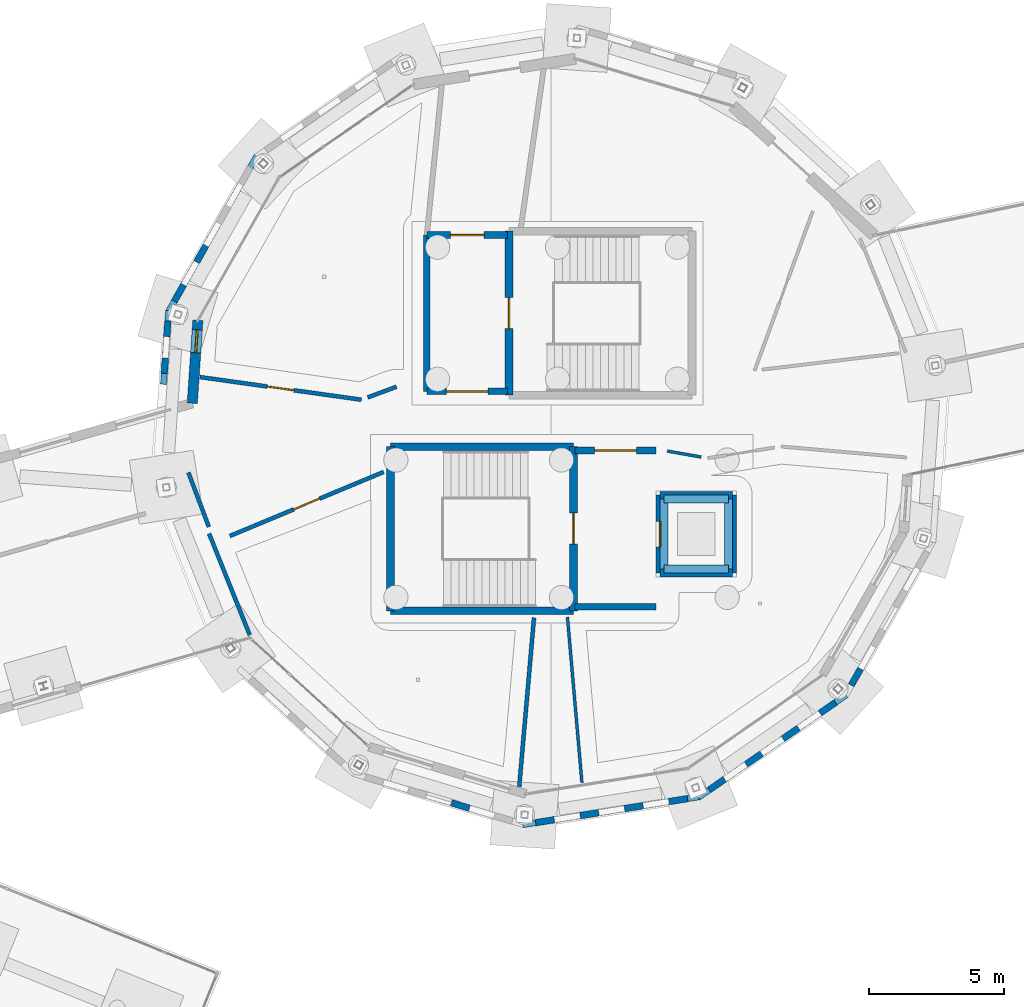
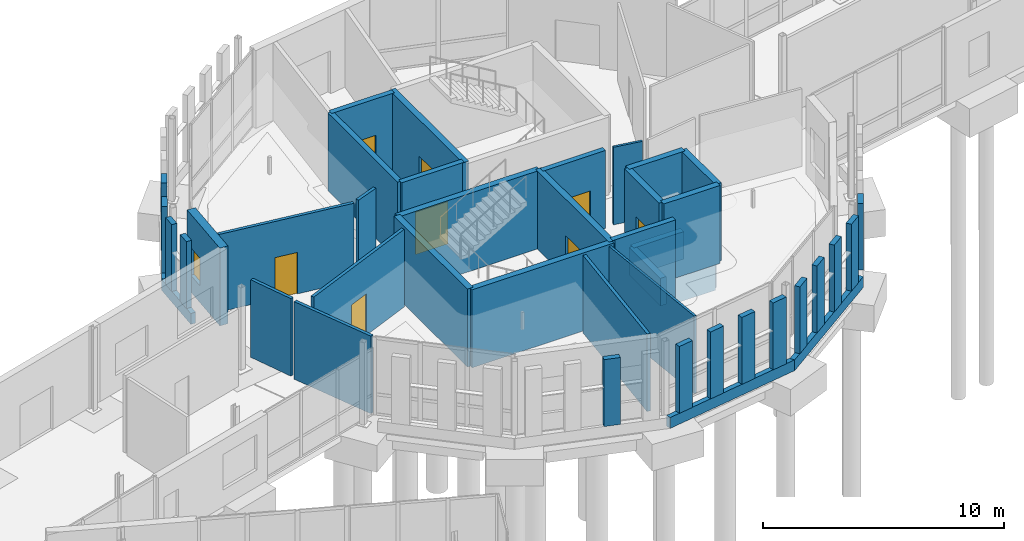
# One storey, part 86 of 113: 45 walls, 8 doors, 1 window, 9 openings.
"""IFC4 building model written with IfcOpenShell, lengths in metres."""

import ifcopenshell
import ifcopenshell.guid

model = None  # the IFC model being written
_history = None  # IfcOwnerHistory: only IFC2X3 demands one
_inside = {}  # id of a spatial element -> (the spatial element, [elements in it])
_under = {}  # id of a project, library or spatial element -> (it, [spatial elements below it])
_declared = {}  # id of a project -> (the project, [libraries it declares])
_typed = {}  # id of a type object -> (the type object, [elements of that type])
_made_of = {}  # id of a material, layer set ... -> (it, [elements and type objects made of it])


def new_model(schema):
    """Start an empty IFC model of exactly this schema.

    Asked for "IFC4X3", IfcOpenShell would pick the latest addendum, in which some entities
    have other attributes; the version numbers below select the first issue.
    IFC2X3 requires an IfcOwnerHistory on every rooted entity: one is made here for all.
    """
    global model, _history
    if schema == "IFC4X3":
        model = ifcopenshell.file(schema_version=(4, 3, 0, 0))
    else:
        model = ifcopenshell.file(schema=schema)
    _inside.clear()
    _under.clear()
    _declared.clear()
    _typed.clear()
    _made_of.clear()
    _history = None
    if model.schema == "IFC2X3":
        org = make("IfcOrganization", Name="unknown")
        user = make(
            "IfcPersonAndOrganization",
            ThePerson=make("IfcPerson", FamilyName="unknown"),
            TheOrganization=org,
        )
        app = make(
            "IfcApplication",
            ApplicationDeveloper=org,
            Version="unknown",
            ApplicationFullName="unknown",
            ApplicationIdentifier="unknown",
        )
        _history = make(
            "IfcOwnerHistory",
            OwningUser=user,
            OwningApplication=app,
            ChangeAction="ADDED",
            CreationDate=0,
        )
    return model


def make(cls, **values):
    """One entity of the class cls with the attributes given. An attribute that is None is left unset."""
    return model.create_entity(
        cls, **{name: value for name, value in values.items() if value is not None}
    )


def rooted(cls, **values):
    """An entity with a GlobalId (a new one), such as an element, a storey or a relation."""
    return make(cls, GlobalId=ifcopenshell.guid.new(), OwnerHistory=_history, **values)


def si_unit(unit_type, name, prefix=None):
    """IfcSIUnit, for example si_unit("LENGTHUNIT", "METRE", prefix="MILLI")."""
    return make("IfcSIUnit", UnitType=unit_type, Prefix=prefix, Name=name)


def assignment(units):
    """IfcUnitAssignment: the units of a project."""
    return None if units is None else make("IfcUnitAssignment", Units=units)


def point(xyz):
    """IfcCartesianPoint."""
    return None if xyz is None else make("IfcCartesianPoint", Coordinates=xyz)


def direction(xyz):
    """IfcDirection."""
    return None if xyz is None else make("IfcDirection", DirectionRatios=xyz)


def frame(location, z_axis=None, x_axis=None):
    """IfcAxis2Placement3D, a coordinate frame: its origin and axes. An axis left out is left unset."""
    return make(
        "IfcAxis2Placement3D",
        Location=point(location),
        Axis=direction(z_axis),
        RefDirection=direction(x_axis),
    )


def frame_2d(location, x_axis=None):
    """IfcAxis2Placement2D, a coordinate frame in the plane: its origin and x axis."""
    return make(
        "IfcAxis2Placement2D", Location=point(location), RefDirection=direction(x_axis)
    )


def origin():
    """The frame at (0, 0, 0) with its axes left unset."""
    return frame((0.0, 0.0, 0.0))


def place(relative_to, where):
    """IfcLocalPlacement: puts the frame where relative to a parent placement (None: the world)."""
    return make(
        "IfcLocalPlacement", PlacementRelTo=relative_to, RelativePlacement=where
    )


def context(
    kind, dimensions, precision=None, world=None, true_north=None, identifier=None
):
    """IfcGeometricRepresentationContext, for example the 3D "Model" context."""
    return make(
        "IfcGeometricRepresentationContext",
        ContextIdentifier=identifier,
        ContextType=kind,
        CoordinateSpaceDimension=dimensions,
        Precision=precision,
        WorldCoordinateSystem=world,
        TrueNorth=true_north,
    )


def subcontext(parent, identifier, kind, view, scale=None):
    """IfcGeometricRepresentationSubContext, for example "Body" below "Model"."""
    return make(
        "IfcGeometricRepresentationSubContext",
        ContextIdentifier=identifier,
        ContextType=kind,
        ParentContext=parent,
        TargetScale=scale,
        TargetView=view,
    )


def project(units=None, contexts=None):
    """IfcProject with its units and contexts."""
    return rooted(
        "IfcProject",
        Name="project",
        RepresentationContexts=contexts,
        UnitsInContext=assignment(units),
    )


def spatial(cls, under=None, at=None, **own):
    """A site, building, storey or space (cls), placed at a placement, below another one or the project."""
    s = rooted(cls, ObjectPlacement=at, **own)
    if under is not None:
        _under.setdefault(under.id(), (under, []))[1].append(s)
    return s


def profile(cls, at=None, kind="AREA", **sizes):
    """A parametric profile (cls). Its sizes go by their IFC names, for example OverallWidth=200.0."""
    return make(cls, ProfileType=kind, Position=at, **sizes)


def rectangle(**sizes):
    """IfcRectangleProfileDef."""
    return profile("IfcRectangleProfileDef", **sizes)


def extrude(swept, where, along, depth):
    """IfcExtrudedAreaSolid: the profile swept, set in the frame where, extruded along a direction by depth."""
    return make(
        "IfcExtrudedAreaSolid",
        SweptArea=swept,
        Position=where,
        ExtrudedDirection=direction(along),
        Depth=depth,
    )


def shape(context_of_items, identifier, shape_type, items):
    """IfcShapeRepresentation: the items that make up one representation, for example the "Body"."""
    return make(
        "IfcShapeRepresentation",
        ContextOfItems=context_of_items,
        RepresentationIdentifier=identifier,
        RepresentationType=shape_type,
        Items=items,
    )


def material(Name=None, Category=None):
    """IfcMaterial."""
    return make("IfcMaterial", Name=Name, Category=Category)


def layer(
    of_material, thickness, ventilated=None, Name=None, Category=None, Priority=None
):
    """IfcMaterialLayer: one layer of a wall or slab, of a material (None: an air gap)."""
    return make(
        "IfcMaterialLayer",
        Material=of_material,
        LayerThickness=thickness,
        IsVentilated=ventilated,
        Name=Name,
        Category=Category,
        Priority=Priority,
    )


def layer_set(layers, Name=None):
    """IfcMaterialLayerSet."""
    return make("IfcMaterialLayerSet", MaterialLayers=layers, LayerSetName=Name)


def made_of(thing, what):
    """Note that an element or type object is made of a material, layer set ...; save() writes the relation."""
    if what is not None:
        _made_of.setdefault(what.id(), (what, []))[1].append(thing)
    return thing


def type_object(cls, material=None, **own):
    """A type object (cls), such as IfcWallType, which elements share."""
    return made_of(rooted(cls, **own), material)


def element(
    cls,
    number,
    at=None,
    inside=None,
    cuts=None,
    type_object=None,
    material=None,
    context=None,
    identifier="Body",
    shape_type=None,
    held_by="IfcProductDefinitionShape",
    body=None,
    shapes=None,
    **own,
):
    """One element of the class cls, such as IfcWall. Its Tag is "e" and its number.

    at: its placement. inside: the storey or other place that contains it. cuts: it is an
    opening in that element (IfcRelVoidsElement). A single representation is given by context,
    identifier, shape_type and body (its items); several are given by shapes. held_by: the class
    of the entity that holds the representations. save() writes the other relations.
    """
    e = rooted(cls, Tag="e%d" % number, ObjectPlacement=at, **own)
    if body is not None:
        shapes = [shape(context, identifier, shape_type, body)]
    if shapes is not None:
        e.Representation = make(held_by, Representations=shapes)
    if inside is not None:
        _inside.setdefault(inside.id(), (inside, []))[1].append(e)
    if cuts is not None:
        rooted(
            "IfcRelVoidsElement", RelatingBuildingElement=cuts, RelatedOpeningElement=e
        )
    if type_object is not None:
        _typed.setdefault(type_object.id(), (type_object, []))[1].append(e)
    return made_of(e, material)


def fill(opening, filler):
    """IfcRelFillsElement: the door or window that sits in an opening."""
    return rooted(
        "IfcRelFillsElement",
        RelatingOpeningElement=opening,
        RelatedBuildingElement=filler,
    )


def aggregate(whole, parts):
    """IfcRelAggregates: a whole, such as a stair, and the parts it consists of."""
    return rooted("IfcRelAggregates", RelatingObject=whole, RelatedObjects=parts)


def save(model, path):
    """Write the relations noted so far, then the file.

    IfcRelAggregates (storeys below a building ...), IfcRelContainedInSpatialStructure (elements
    in a storey), IfcRelDefinesByType, IfcRelAssociatesMaterial and IfcRelDeclares: one each for
    every whole, place, type object, material and project.
    """
    for whole, parts in _under.values():
        aggregate(whole, parts)
    for where, things in _inside.values():
        rooted(
            "IfcRelContainedInSpatialStructure",
            RelatedElements=things,
            RelatingStructure=where,
        )
    for kind, things in _typed.values():
        rooted("IfcRelDefinesByType", RelatedObjects=things, RelatingType=kind)
    for what, things in _made_of.values():
        rooted("IfcRelAssociatesMaterial", RelatedObjects=things, RelatingMaterial=what)
    for by, libraries in _declared.values():
        rooted("IfcRelDeclares", RelatingContext=by, RelatedDefinitions=libraries)
    model.write(path)


model = new_model("IFC4")

# Units and contexts
model_context = context("Model", 3, precision=1e-05, world=origin(), true_north=direction((0.0, 1.0)))
body_context = subcontext(model_context, "Body", "Model", "MODEL_VIEW")
ifc_project = project(units=[si_unit("LENGTHUNIT", "METRE"), si_unit("AREAUNIT", "SQUARE_METRE"), si_unit("VOLUMEUNIT", "CUBIC_METRE"), si_unit("PLANEANGLEUNIT", "RADIAN"), si_unit("MASSUNIT", "GRAM", prefix="KILO")], contexts=[model_context])

# Site, building, storey
site_placement = place(None, origin())
site = spatial("IfcSite", under=ifc_project, at=site_placement, CompositionType="ELEMENT")
building_placement = place(site_placement, origin())
building = spatial("IfcBuilding", under=site, at=building_placement, Name="Wrenclough Park School", CompositionType="ELEMENT")
storey_placement = place(building_placement, origin())
storey = spatial("IfcBuildingStorey", under=building, at=storey_placement, Name="L00", CompositionType="ELEMENT", Elevation=0.0)

# Walls
ifc_material_1 = material(Name="Perforated open-bond Staffordshire and Manchester brick screen pier", Category="masonry")
ifc_layer_1 = layer(ifc_material_1, 0.2451171875)
ifc_layer_set_1 = layer_set([ifc_layer_1], Name="Perforated open-bond Staffordshire and Manchester brick screen pier")
wall_type_1 = type_object("IfcWallType", Name="ENV-BS-PR245", PredefinedType="ELEMENTEDWALL", material=ifc_layer_set_1)
wall_1_placement = place(storey_placement, frame((70.19873046875, 115.207275390625, 0.550048828125), z_axis=(0.0, 0.0, 1.0), x_axis=(-0.493548557981, -0.869718242257, 0.0)))
element("IfcWall", 1, at=wall_1_placement, inside=storey, type_object=wall_type_1, Name="D4 L00 perforated brick screen pier 0115", PredefinedType="ELEMENTEDWALL", context=body_context, shape_type="SweptSolid", body=[
    extrude(rectangle(XDim=0.700927734375, YDim=0.2451171875, at=frame_2d((0.3505859375, 0.0))), origin(), (0.0, 0.0, 1.0), 3.389892578125),
])
wall_2_placement = place(storey_placement, frame((69.375, 113.755859375, 0.550048828125), z_axis=(0.0, 0.0, 1.0), x_axis=(-0.49339908657, -0.869803047461, 0.0)))
element("IfcWall", 2, at=wall_2_placement, inside=storey, type_object=wall_type_1, Name="D4 L00 perforated brick screen pier 0116", PredefinedType="ELEMENTEDWALL", context=body_context, shape_type="SweptSolid", body=[
    extrude(rectangle(XDim=0.701171875, YDim=0.2451171875, at=frame_2d((0.3505859375, 0.0))), origin(), (0.0, 0.0, 1.0), 3.389892578125),
])
wall_3_placement = place(storey_placement, frame((68.78662109375, 112.40478515625, 0.550048828125), z_axis=(0.0, 0.0, 1.0), x_axis=(-0.067277250526, -0.997734319126, 0.0)))
element("IfcWall", 3, at=wall_3_placement, inside=storey, type_object=wall_type_1, Name="D4 L00 perforated brick screen pier 0117", PredefinedType="ELEMENTEDWALL", context=body_context, shape_type="SweptSolid", body=[
    extrude(rectangle(XDim=0.576904296875, YDim=0.2451171875, at=frame_2d((0.28857421875, 0.0))), origin(), (0.0, 0.0, 1.0), 3.389892578125),
])
wall_4_placement = place(storey_placement, frame((68.694091796875, 111.034912109375, 0.550048828125), z_axis=(0.0, 0.0, 1.0), x_axis=(-0.066827806151, -0.997764523485, 0.0)))
element("IfcWall", 4, at=wall_4_placement, inside=storey, type_object=wall_type_1, Name="D4 L00 perforated brick screen pier 0118", PredefinedType="ELEMENTEDWALL", context=body_context, shape_type="SweptSolid", body=[
    extrude(rectangle(XDim=0.5771484375, YDim=0.2451171875, at=frame_2d((0.28857421875, 0.0))), origin(), (0.0, 0.0, 1.0), 3.389892578125),
])
for number, where, z_axis, x_axis, name in (
    (5, (79.3095703125, 94.527099609375, 0.550048828125), (0.0, 0.0, 1.0), (0.957826285221, -0.287347885566, 0.0), "D4 L00 perforated brick screen pier 0124"),
    (6, (82.44091796875, 93.78759765625, 0.550048828125), (0.0, 0.0, 1.0), (0.987697931756, 0.156373896812, 0.0), "D4 L00 perforated brick screen pier 0126"),
    (7, (84.089111328125, 94.048583984375, 0.550048828125), (0.0, 0.0, 1.0), (0.987697931756, 0.156373896812, 0.0), "D4 L00 perforated brick screen pier 0127"),
    (8, (85.737548828125, 94.309814453125, 0.550048828125), (0.0, 0.0, 1.0), (0.987751666832, 0.156034113801, 0.0), "D4 L00 perforated brick screen pier 0128"),
    (9, (87.3857421875, 94.57080078125, 0.550048828125), (0.0, 0.0, 1.0), (0.987697931756, 0.156373896812, 0.0), "D4 L00 perforated brick screen pier 0129"),
    (10, (88.879638671875, 95.001953125, 0.550048828125), (0.0, 0.0, 1.0), (0.822004061083, 0.569481627064, 0.0), "D4 L00 perforated brick screen pier 0130"),
    (11, (90.251708984375, 95.952392578125, 0.550048828125), (0.0, 0.0, 1.0), (0.822004061083, 0.569481627064, 0.0), "D4 L00 perforated brick screen pier 0131"),
):
    element("IfcWall", number, at=place(storey_placement, frame(where, z_axis=z_axis, x_axis=x_axis)), inside=storey, type_object=wall_type_1, Name=name, PredefinedType="ELEMENTEDWALL", context=body_context, shape_type="SweptSolid", body=[
        extrude(rectangle(XDim=0.700927734375, YDim=0.2451171875, at=frame_2d((0.3505859375, 0.0))), origin(), (0.0, 0.0, 1.0), 3.389892578125),
    ])
wall_5_placement = place(storey_placement, frame((91.623291015625, 96.902587890625, 0.550048828125), z_axis=(0.0, 0.0, 1.0), x_axis=(0.821953993254, 0.569553889438, 0.0)))
element("IfcWall", 12, at=wall_5_placement, inside=storey, type_object=wall_type_1, Name="D4 L00 perforated brick screen pier 0132", PredefinedType="ELEMENTEDWALL", context=body_context, shape_type="SweptSolid", body=[
    extrude(rectangle(XDim=0.701171875, YDim=0.2451171875, at=frame_2d((0.3505859375, 0.0))), origin(), (0.0, 0.0, 1.0), 3.389892578125),
])
for number, where, z_axis, x_axis, name in (
    (13, (92.995361328125, 97.85302734375, 0.550048828125), (0.0, 0.0, 1.0), (0.822004061083, 0.569481627064, 0.0), "D4 L00 perforated brick screen pier 0133"),
    (14, (94.154052734375, 98.8896484375, 0.550048828125), (0.0, 0.0, 1.0), (0.493548557981, 0.869718242257, 0.0), "D4 L00 perforated brick screen pier 0134"),
):
    element("IfcWall", number, at=place(storey_placement, frame(where, z_axis=z_axis, x_axis=x_axis)), inside=storey, type_object=wall_type_1, Name=name, PredefinedType="ELEMENTEDWALL", context=body_context, shape_type="SweptSolid", body=[
        extrude(rectangle(XDim=0.700927734375, YDim=0.2451171875, at=frame_2d((0.3505859375, 0.0))), origin(), (0.0, 0.0, 1.0), 3.389892578125),
    ])
ifc_material_2 = material(Name="Open-bond Manchester multi-stock brick spandrel screen", Category="masonry")
ifc_layer_2 = layer(ifc_material_2, 0.22509765625)
ifc_layer_set_2 = layer_set([ifc_layer_2], Name="Open-bond Manchester multi-stock brick spandrel screen")
wall_type_2 = type_object("IfcWallType", Name="ENV-BS-SP225", PredefinedType="ELEMENTEDWALL", material=ifc_layer_set_2)
wall_6_placement = place(storey_placement, frame((72.084716796875, 118.53125, 0.0), z_axis=(0.0, 0.0, 1.0), x_axis=(-0.493497861667, -0.869747009498, 0.0)))
element("IfcWall", 15, at=wall_6_placement, inside=storey, type_object=wall_type_2, Name="D4 L00 open-bond brick screen spandrel 0030", PredefinedType="ELEMENTEDWALL", context=body_context, shape_type="SweptSolid", body=[
    extrude(rectangle(XDim=6.67578125, YDim=0.22509765625, at=frame_2d((3.337890625, 0.0))), origin(), (0.0, 0.0, 1.0), 0.550048828125),
])
wall_7_placement = place(storey_placement, frame((68.813232421875, 112.802001953125, 0.0), z_axis=(0.0, 0.0, 1.0), x_axis=(-0.067209356194, -0.997738894922, 0.0)))
element("IfcWall", 16, at=wall_7_placement, inside=storey, type_object=wall_type_2, Name="D4 L00 open-bond brick screen spandrel 0031", PredefinedType="ELEMENTEDWALL", context=body_context, shape_type="SweptSolid", body=[
    extrude(rectangle(XDim=2.74609375, YDim=0.22509765625, at=frame_2d((1.373046875, 0.0))), origin(), (0.0, 0.0, 1.0), 0.550048828125),
])
for number, where, z_axis, x_axis, name in (
    (17, (81.962890625, 93.7119140625, 0.0), (0.0, 0.0, 1.0), (0.987690206406, 0.156422684322, 0.0), "D4 L00 open-bond brick screen spandrel 0034"),
    (18, (88.48193359375, 94.726318359375, 0.0), (0.0, 0.0, 1.0), (0.822009139105, 0.56947429725, 0.0), "D4 L00 open-bond brick screen spandrel 0035"),
):
    element("IfcWall", number, at=place(storey_placement, frame(where, z_axis=z_axis, x_axis=x_axis)), inside=storey, type_object=wall_type_2, Name=name, PredefinedType="ELEMENTEDWALL", context=body_context, shape_type="SweptSolid", body=[
        extrude(rectangle(XDim=6.675537109375, YDim=0.22509765625, at=frame_2d((3.337890625, 0.0))), origin(), (0.0, 0.0, 1.0), 0.550048828125),
    ])

# Wall, opening, window
ifc_material_3 = material(Name="Manchester multi-stock brick and Concrete C35/45 inner leaf", Category="masonry")
ifc_layer_3 = layer(ifc_material_3, 0.3798828125)
ifc_layer_set_3 = layer_set([ifc_layer_3], Name="Manchester multi-stock brick and Concrete C35/45 inner leaf")
wall_type_3 = type_object("IfcWallType", Name="ENV-EW-380", PredefinedType="SOLIDWALL", material=ifc_layer_set_3)
wall_8_placement = place(storey_placement, frame((69.693603515625, 109.357421875, 0.0), z_axis=(0.0, 0.0, 1.0), x_axis=(0.067233821917, 0.997737246569, 0.0)))
wall_8 = element("IfcWall", 19, at=wall_8_placement, inside=storey, type_object=wall_type_3, Name="L00 insulated brick external wall 0019", PredefinedType="SOLIDWALL", context=body_context, shape_type="SweptSolid", body=[
    extrude(rectangle(XDim=3.0830078125, YDim=0.3798828125, at=frame_2d((1.54150390625, 0.0))), origin(), (0.0, 0.0, 1.0), 3.93994140625),
])
opening_1_placement = place(wall_8_placement, frame((1.883056640625, 0.0, 0.85009765625)))
opening_1 = element("IfcOpeningElement", 20, at=opening_1_placement, cuts=wall_8, Name="Opening WN-01", PredefinedType="OPENING", context=body_context, shape_type="SweptSolid", body=[
    extrude(rectangle(XDim=0.85009765625, YDim=1.39990234375, at=frame_2d((0.425048828125, 0.699951171875))), frame((0.0, 0.199951171875, 0.0), z_axis=(0.0, -1.0, 0.0), x_axis=(1.0, 0.0, 0.0)), (0.0, 0.0, 1.0), 0.39990234375),
])
ifc_material_4 = material(Name="Thermally broken aluminium and double-glazed low-e glass", Category="aluminium")
window_type = type_object("IfcWindowType", Name="ENV-WN-01", PartitioningType="SINGLE_PANEL", PredefinedType="WINDOW", material=ifc_material_4)
window_placement = place(opening_1_placement, origin())
window = element("IfcWindow", 21, at=window_placement, inside=storey, type_object=window_type, Name="L00 scheduled facade window 0021", OverallHeight=1.39990234375, OverallWidth=0.85009765625, PartitioningType="SINGLE_PANEL", PredefinedType="WINDOW", context=body_context, shape_type="SweptSolid", body=[
    extrude(rectangle(XDim=0.85009765625, YDim=1.39990234375, at=frame_2d((0.425048828125, 0.699951171875))), frame((0.0, 0.030029296875, 0.0), z_axis=(0.0, -1.0, 0.0), x_axis=(1.0, 0.0, 0.0)), (0.0, 0.0, 1.0), 0.06005859375),
])
fill(opening_1, window)

# Wall
ifc_material_5 = material(Name="Concrete C35/45", Category="concrete")
ifc_layer_4 = layer(ifc_material_5, 0.25)
ifc_layer_set_4 = layer_set([ifc_layer_4], Name="Concrete C35/45")
wall_type_4 = type_object("IfcWallType", Name="INT-CW-250", PredefinedType="SHEAR", material=ifc_layer_set_4)
wall_9_placement = place(storey_placement, frame((83.89990234375, 101.800048828125, 0.0), z_axis=(0.0, 0.0, 1.0), x_axis=(1.0, 0.0, 0.0)))
element("IfcWall", 22, at=wall_9_placement, inside=storey, type_object=wall_type_4, Name="Core C4 L00 lobby fire wall south", PredefinedType="SHEAR", context=body_context, shape_type="SweptSolid", body=[
    extrude(rectangle(XDim=3.0, YDim=0.25, at=frame_2d((1.5, 0.0))), origin(), (0.0, 0.0, 1.0), 3.949951171875),
])

# Wall, opening, door
wall_10_placement = place(storey_placement, frame((86.89990234375, 107.60009765625, 0.0), z_axis=(0.0, 0.0, 1.0), x_axis=(-1.0, 0.0, 0.0)))
wall_10 = element("IfcWall", 23, at=wall_10_placement, inside=storey, type_object=wall_type_4, Name="Core C4 L00 lobby fire wall north", PredefinedType="SHEAR", context=body_context, shape_type="SweptSolid", body=[
    extrude(rectangle(XDim=3.0, YDim=0.25, at=frame_2d((1.5, 0.0))), origin(), (0.0, 0.0, 1.0), 3.949951171875),
])
opening_2_placement = place(wall_10_placement, frame((0.72509765625, 0.0, 0.0)))
opening_2 = element("IfcOpeningElement", 24, at=opening_2_placement, cuts=wall_10, Name="Opening DLB-C4-L00", PredefinedType="OPENING", context=body_context, shape_type="SweptSolid", body=[
    extrude(rectangle(XDim=1.550048828125, YDim=2.14990234375, at=frame_2d((0.77490234375, 1.074951171875))), frame((0.0, 0.135009765625, 0.0), z_axis=(0.0, -1.0, 0.0), x_axis=(1.0, 0.0, 0.0)), (0.0, 0.0, 1.0), 0.27001953125),
])
ifc_material_6 = material(Name="Protected stair lobby double fire door assembly", Category="wood")
door_type_1 = type_object("IfcDoorType", Name="INT-DR-LB155", OperationType="NOTDEFINED", PredefinedType="DOOR", material=ifc_material_6)
door_1_placement = place(opening_2_placement, frame((1.550048828125, 0.0, 0.0), z_axis=(0.0, 0.0, 1.0), x_axis=(-1.0, 0.0, 0.0)))
door_1 = element("IfcDoor", 25, at=door_1_placement, inside=storey, type_object=door_type_1, Name="Core C4 L00 protected lobby fire door", OperationType="DOUBLE_DOOR_SINGLE_SWING", OverallHeight=2.14990234375, OverallWidth=1.550048828125, PredefinedType="DOOR", context=body_context, shape_type="SweptSolid", body=[
    extrude(rectangle(XDim=1.550048828125, YDim=2.14990234375, at=frame_2d((0.77490234375, 1.074951171875))), frame((0.0, 0.02490234375, 0.0), z_axis=(0.0, -1.0, 0.0), x_axis=(1.0, 0.0, 0.0)), (0.0, 0.0, 1.0), 0.050048828125),
])
fill(opening_2, door_1)

wall_11_placement = place(storey_placement, frame((78.39990234375, 109.800048828125, 0.0), z_axis=(0.0, 0.0, 1.0), x_axis=(1.0, 0.0, 0.0)))
wall_11 = element("IfcWall", 26, at=wall_11_placement, inside=storey, type_object=wall_type_4, Name="Core C4B L00 lobby fire wall south", PredefinedType="SHEAR", context=body_context, shape_type="SweptSolid", body=[
    extrude(rectangle(XDim=3.0, YDim=0.25, at=frame_2d((1.5, 0.0))), origin(), (0.0, 0.0, 1.0), 3.949951171875),
])
opening_3_placement = place(wall_11_placement, frame((0.72509765625, 0.0, 0.0)))
opening_3 = element("IfcOpeningElement", 27, at=opening_3_placement, cuts=wall_11, Name="Opening DLB-C4B-L00", PredefinedType="OPENING", context=body_context, shape_type="SweptSolid", body=[
    extrude(rectangle(XDim=1.550048828125, YDim=2.14990234375, at=frame_2d((0.77490234375, 1.074951171875))), frame((0.0, 0.135009765625, 0.0), z_axis=(0.0, -1.0, 0.0), x_axis=(1.0, 0.0, 0.0)), (0.0, 0.0, 1.0), 0.27001953125),
])
door_2_placement = place(opening_3_placement, frame((1.550048828125, 0.0, 0.0), z_axis=(0.0, 0.0, 1.0), x_axis=(-1.0, 0.0, 0.0)))
door_2 = element("IfcDoor", 28, at=door_2_placement, inside=storey, type_object=door_type_1, Name="Core C4B L00 protected lobby fire door", OperationType="DOUBLE_DOOR_SINGLE_SWING", OverallHeight=2.14990234375, OverallWidth=1.550048828125, PredefinedType="DOOR", context=body_context, shape_type="SweptSolid", body=[
    extrude(rectangle(XDim=1.550048828125, YDim=2.14990234375, at=frame_2d((0.77490234375, 1.074951171875))), frame((0.0, 0.02490234375, 0.0), z_axis=(0.0, -1.0, 0.0), x_axis=(1.0, 0.0, 0.0)), (0.0, 0.0, 1.0), 0.050048828125),
])
fill(opening_3, door_2)

wall_12_placement = place(storey_placement, frame((81.39990234375, 115.60009765625, 0.0), z_axis=(0.0, 0.0, 1.0), x_axis=(-1.0, 0.0, 0.0)))
wall_12 = element("IfcWall", 29, at=wall_12_placement, inside=storey, type_object=wall_type_4, Name="Core C4B L00 lobby fire wall north", PredefinedType="SHEAR", context=body_context, shape_type="SweptSolid", body=[
    extrude(rectangle(XDim=3.0, YDim=0.25, at=frame_2d((1.5, 0.0))), origin(), (0.0, 0.0, 1.0), 3.949951171875),
])
opening_4_placement = place(wall_12_placement, frame((0.875, 0.0, 0.0)))
opening_4 = element("IfcOpeningElement", 30, at=opening_4_placement, cuts=wall_12, Name="Opening DEP-C4B-L00", PredefinedType="OPENING", context=body_context, shape_type="SweptSolid", body=[
    extrude(rectangle(XDim=1.25, YDim=2.10009765625, at=frame_2d((0.625, 1.050048828125))), frame((0.0, 0.135009765625, 0.0), z_axis=(0.0, -1.0, 0.0), x_axis=(1.0, 0.0, 0.0)), (0.0, 0.0, 1.0), 0.27001953125),
])
ifc_material_7 = material(Name="Wide protected escape stair fire door assembly", Category="wood")
door_type_2 = type_object("IfcDoorType", Name="INT-DR-ST125", OperationType="NOTDEFINED", PredefinedType="DOOR", material=ifc_material_7)
door_3_placement = place(opening_4_placement, frame((1.25, 0.0, 0.0), z_axis=(0.0, 0.0, 1.0), x_axis=(-1.0, 0.0, 0.0)))
door_3 = element("IfcDoor", 31, at=door_3_placement, inside=storey, type_object=door_type_2, Name="Core C4B L00 protected exit passageway fire door", OperationType="SINGLE_SWING_LEFT", OverallHeight=2.10009765625, OverallWidth=1.25, PredefinedType="DOOR", context=body_context, shape_type="SweptSolid", body=[
    extrude(rectangle(XDim=1.25, YDim=2.10009765625, at=frame_2d((0.625, 1.050048828125))), frame((0.0, 0.02490234375, 0.0), z_axis=(0.0, -1.0, 0.0), x_axis=(1.0, 0.0, 0.0)), (0.0, 0.0, 1.0), 0.050048828125),
])
fill(opening_4, door_3)

# Walls
wall_13_placement = place(storey_placement, frame((78.39990234375, 115.60009765625, 0.0), z_axis=(0.0, 0.0, 1.0), x_axis=(0.0, -1.0, 0.0)))
element("IfcWall", 32, at=wall_13_placement, inside=storey, type_object=wall_type_4, Name="Core C4B L00 lobby fire wall west", PredefinedType="SHEAR", context=body_context, shape_type="SweptSolid", body=[
    extrude(rectangle(XDim=5.800048828125, YDim=0.25, at=frame_2d((2.89990234375, 0.0))), origin(), (0.0, 0.0, 1.0), 3.949951171875),
])
ifc_material_8 = material(Name="Concrete C40/50", Category="concrete")
ifc_layer_5 = layer(ifc_material_8, 0.2900390625)
ifc_layer_set_5 = layer_set([ifc_layer_5], Name="Concrete C40/50")
wall_type_5 = type_object("IfcWallType", Name="INT-CW-290", PredefinedType="SHEAR", material=ifc_layer_set_5)
wall_14_placement = place(storey_placement, frame((87.199951171875, 103.199951171875, -1.39990234375), z_axis=(0.0, 0.0, 1.0), x_axis=(1.0, 0.0, 0.0)))
element("IfcWall", 33, at=wall_14_placement, inside=storey, type_object=wall_type_5, Name="Lift LFT-06 concrete pit wall 1", PredefinedType="SHEAR", context=body_context, shape_type="SweptSolid", body=[
    extrude(rectangle(XDim=2.400146484375, YDim=0.2900390625, at=frame_2d((1.2001953125, 0.0))), origin(), (0.0, 0.0, 1.0), 1.39990234375),
])
wall_15_placement = place(storey_placement, frame((89.60009765625, 103.199951171875, -1.39990234375), z_axis=(0.0, 0.0, 1.0), x_axis=(0.0, 1.0, 0.0)))
element("IfcWall", 34, at=wall_15_placement, inside=storey, type_object=wall_type_5, Name="Lift LFT-06 concrete pit wall 2", PredefinedType="SHEAR", context=body_context, shape_type="SweptSolid", body=[
    extrude(rectangle(XDim=2.60009765625, YDim=0.2900390625, at=frame_2d((1.300048828125, 0.0))), origin(), (0.0, 0.0, 1.0), 1.39990234375),
])
wall_16_placement = place(storey_placement, frame((89.60009765625, 105.800048828125, -1.39990234375), z_axis=(0.0, 0.0, 1.0), x_axis=(-1.0, 0.0, 0.0)))
element("IfcWall", 35, at=wall_16_placement, inside=storey, type_object=wall_type_5, Name="Lift LFT-06 concrete pit wall 3", PredefinedType="SHEAR", context=body_context, shape_type="SweptSolid", body=[
    extrude(rectangle(XDim=2.400146484375, YDim=0.2900390625, at=frame_2d((1.2001953125, 0.0))), origin(), (0.0, 0.0, 1.0), 1.39990234375),
])
wall_17_placement = place(storey_placement, frame((87.199951171875, 105.800048828125, -1.39990234375), z_axis=(0.0, 0.0, 1.0), x_axis=(0.0, -1.0, 0.0)))
element("IfcWall", 36, at=wall_17_placement, inside=storey, type_object=wall_type_5, Name="Lift LFT-06 concrete pit wall 4", PredefinedType="SHEAR", context=body_context, shape_type="SweptSolid", body=[
    extrude(rectangle(XDim=2.60009765625, YDim=0.2900390625, at=frame_2d((1.300048828125, 0.0))), origin(), (0.0, 0.0, 1.0), 1.39990234375),
])
wall_18_placement = place(storey_placement, frame((77.054931640625, 101.655029296875, 0.0), z_axis=(0.0, 0.0, 1.0), x_axis=(1.0, 0.0, 0.0)))
element("IfcWall", 37, at=wall_18_placement, inside=storey, type_object=wall_type_5, Name="Core C4 L00 south shear wall", PredefinedType="SHEAR", context=body_context, shape_type="SweptSolid", body=[
    extrude(rectangle(XDim=6.7900390625, YDim=0.2900390625, at=frame_2d((3.39501953125, 0.0))), origin(), (0.0, 0.0, 1.0), 3.949951171875),
])

# Wall, opening, door
wall_19_placement = place(storey_placement, frame((83.844970703125, 101.655029296875, 0.0), z_axis=(0.0, 0.0, 1.0), x_axis=(0.0, 1.0, 0.0)))
wall_19 = element("IfcWall", 38, at=wall_19_placement, inside=storey, type_object=wall_type_5, Name="Core C4 L00 east shear wall", PredefinedType="SHEAR", context=body_context, shape_type="SweptSolid", body=[
    extrude(rectangle(XDim=6.090087890625, YDim=0.2900390625, at=frame_2d((3.044921875, 0.0))), origin(), (0.0, 0.0, 1.0), 3.949951171875),
])
opening_5_placement = place(wall_19_placement, frame((2.469970703125, 0.0, 0.0)))
opening_5 = element("IfcOpeningElement", 39, at=opening_5_placement, cuts=wall_19, Name="Opening DST-C4-L00", PredefinedType="OPENING", context=body_context, shape_type="SweptSolid", body=[
    extrude(rectangle(XDim=1.14990234375, YDim=2.10009765625, at=frame_2d((0.574951171875, 1.050048828125))), frame((0.0, 0.155029296875, 0.0), z_axis=(0.0, -1.0, 0.0), x_axis=(1.0, 0.0, 0.0)), (0.0, 0.0, 1.0), 0.31005859375),
])
ifc_material_9 = material(Name="Protected escape stair single fire door assembly", Category="wood")
door_type_3 = type_object("IfcDoorType", Name="INT-DR-ST115", OperationType="NOTDEFINED", PredefinedType="DOOR", material=ifc_material_9)
door_4_placement = place(opening_5_placement, frame((1.14990234375, 0.0, 0.0), z_axis=(0.0, 0.0, 1.0), x_axis=(-1.0, 0.0, 0.0)))
door_4 = element("IfcDoor", 40, at=door_4_placement, inside=storey, type_object=door_type_3, Name="Stair ST-04 L00 fire door", OperationType="SINGLE_SWING_LEFT", OverallHeight=2.10009765625, OverallWidth=1.14990234375, PredefinedType="DOOR", context=body_context, shape_type="SweptSolid", body=[
    extrude(rectangle(XDim=1.14990234375, YDim=2.10009765625, at=frame_2d((0.574951171875, 1.050048828125))), frame((0.0, 0.02490234375, 0.0), z_axis=(0.0, -1.0, 0.0), x_axis=(1.0, 0.0, 0.0)), (0.0, 0.0, 1.0), 0.050048828125),
])
fill(opening_5, door_4)

# Walls
wall_20_placement = place(storey_placement, frame((83.844970703125, 107.7451171875, 0.0), z_axis=(0.0, 0.0, 1.0), x_axis=(-1.0, 0.0, 0.0)))
element("IfcWall", 41, at=wall_20_placement, inside=storey, type_object=wall_type_5, Name="Core C4 L00 north shear wall", PredefinedType="SHEAR", context=body_context, shape_type="SweptSolid", body=[
    extrude(rectangle(XDim=6.7900390625, YDim=0.2900390625, at=frame_2d((3.39501953125, 0.0))), origin(), (0.0, 0.0, 1.0), 3.949951171875),
])
wall_21_placement = place(storey_placement, frame((77.054931640625, 107.7451171875, 0.0), z_axis=(0.0, 0.0, 1.0), x_axis=(0.0, -1.0, 0.0)))
element("IfcWall", 42, at=wall_21_placement, inside=storey, type_object=wall_type_5, Name="Core C4 L00 west shear wall", PredefinedType="SHEAR", context=body_context, shape_type="SweptSolid", body=[
    extrude(rectangle(XDim=6.090087890625, YDim=0.2900390625, at=frame_2d((3.044921875, 0.0))), origin(), (0.0, 0.0, 1.0), 3.949951171875),
])
wall_22_placement = place(storey_placement, frame((87.054931640625, 103.054931640625, 0.0), z_axis=(0.0, 0.0, 1.0), x_axis=(1.0, 0.0, 0.0)))
element("IfcWall", 43, at=wall_22_placement, inside=storey, type_object=wall_type_5, Name="Lift LFT-06 L00 south shaft wall", PredefinedType="SHEAR", context=body_context, shape_type="SweptSolid", body=[
    extrude(rectangle(XDim=2.690185546875, YDim=0.2900390625, at=frame_2d((1.34521484375, 0.0))), origin(), (0.0, 0.0, 1.0), 3.949951171875),
])
wall_23_placement = place(storey_placement, frame((89.7451171875, 103.054931640625, 0.0), z_axis=(0.0, 0.0, 1.0), x_axis=(0.0, 1.0, 0.0)))
element("IfcWall", 44, at=wall_23_placement, inside=storey, type_object=wall_type_5, Name="Lift LFT-06 L00 east shaft wall", PredefinedType="SHEAR", context=body_context, shape_type="SweptSolid", body=[
    extrude(rectangle(XDim=2.89013671875, YDim=0.2900390625, at=frame_2d((1.445068359375, 0.0))), origin(), (0.0, 0.0, 1.0), 3.949951171875),
])
wall_24_placement = place(storey_placement, frame((89.7451171875, 105.945068359375, 0.0), z_axis=(0.0, 0.0, 1.0), x_axis=(-1.0, 0.0, 0.0)))
element("IfcWall", 45, at=wall_24_placement, inside=storey, type_object=wall_type_5, Name="Lift LFT-06 L00 north shaft wall", PredefinedType="SHEAR", context=body_context, shape_type="SweptSolid", body=[
    extrude(rectangle(XDim=2.690185546875, YDim=0.2900390625, at=frame_2d((1.34521484375, 0.0))), origin(), (0.0, 0.0, 1.0), 3.949951171875),
])

# Wall, opening, door
wall_25_placement = place(storey_placement, frame((87.054931640625, 105.945068359375, 0.0), z_axis=(0.0, 0.0, 1.0), x_axis=(0.0, -1.0, 0.0)))
wall_25 = element("IfcWall", 46, at=wall_25_placement, inside=storey, type_object=wall_type_5, Name="Lift LFT-06 L00 west shaft wall", PredefinedType="SHEAR", context=body_context, shape_type="SweptSolid", body=[
    extrude(rectangle(XDim=2.89013671875, YDim=0.2900390625, at=frame_2d((1.445068359375, 0.0))), origin(), (0.0, 0.0, 1.0), 3.949951171875),
])
opening_6_placement = place(wall_25_placement, frame((0.969970703125, 0.0, 0.0)))
opening_6 = element("IfcOpeningElement", 47, at=opening_6_placement, cuts=wall_25, Name="Opening LD-06-L00", PredefinedType="OPENING", context=body_context, shape_type="SweptSolid", body=[
    extrude(rectangle(XDim=0.949951171875, YDim=2.10009765625, at=frame_2d((0.47509765625, 1.050048828125))), frame((0.0, 0.155029296875, 0.0), z_axis=(0.0, -1.0, 0.0), x_axis=(1.0, 0.0, 0.0)), (0.0, 0.0, 1.0), 0.31005859375),
])
ifc_material_10 = material(Name="Brushed stainless steel", Category="steel")
door_type_4 = type_object("IfcDoorType", Name="INT-DR-LD095", OperationType="NOTDEFINED", PredefinedType="DOOR", material=ifc_material_10)
door_5_placement = place(opening_6_placement, frame((0.949951171875, 0.0, 0.0), z_axis=(0.0, 0.0, 1.0), x_axis=(-1.0, 0.0, 0.0)))
door_5 = element("IfcDoor", 48, at=door_5_placement, inside=storey, type_object=door_type_4, Name="Lift LFT-06 L00 sliding landing door", OperationType="SLIDING_TO_LEFT", OverallHeight=2.10009765625, OverallWidth=0.949951171875, PredefinedType="DOOR", context=body_context, shape_type="SweptSolid", body=[
    extrude(rectangle(XDim=0.949951171875, YDim=2.10009765625, at=frame_2d((0.47509765625, 1.050048828125))), frame((0.0, 0.02490234375, 0.0), z_axis=(0.0, -1.0, 0.0), x_axis=(1.0, 0.0, 0.0)), (0.0, 0.0, 1.0), 0.050048828125),
])
fill(opening_6, door_5)

wall_26_placement = place(storey_placement, frame((81.455078125, 115.7451171875, 0.0), z_axis=(0.0, 0.0, 1.0), x_axis=(0.0, -1.0, 0.0)))
wall_26 = element("IfcWall", 49, at=wall_26_placement, inside=storey, type_object=wall_type_5, Name="Core C4B L00 west shear wall", PredefinedType="SHEAR", context=body_context, shape_type="SweptSolid", body=[
    extrude(rectangle(XDim=6.090087890625, YDim=0.2900390625, at=frame_2d((3.044921875, 0.0))), origin(), (0.0, 0.0, 1.0), 3.949951171875),
])
opening_7_placement = place(wall_26_placement, frame((2.469970703125, 0.0, 0.0)))
opening_7 = element("IfcOpeningElement", 50, at=opening_7_placement, cuts=wall_26, Name="Opening DST-C4B-L00", PredefinedType="OPENING", context=body_context, shape_type="SweptSolid", body=[
    extrude(rectangle(XDim=1.14990234375, YDim=2.10009765625, at=frame_2d((0.574951171875, 1.050048828125))), frame((0.0, 0.155029296875, 0.0), z_axis=(0.0, -1.0, 0.0), x_axis=(1.0, 0.0, 0.0)), (0.0, 0.0, 1.0), 0.31005859375),
])
door_6_placement = place(opening_7_placement, frame((1.14990234375, 0.0, 0.0), z_axis=(0.0, 0.0, 1.0), x_axis=(-1.0, 0.0, 0.0)))
door_6 = element("IfcDoor", 51, at=door_6_placement, inside=storey, type_object=door_type_3, Name="Stair ST-08 L00 fire door", OperationType="SINGLE_SWING_LEFT", OverallHeight=2.10009765625, OverallWidth=1.14990234375, PredefinedType="DOOR", context=body_context, shape_type="SweptSolid", body=[
    extrude(rectangle(XDim=1.14990234375, YDim=2.10009765625, at=frame_2d((0.574951171875, 1.050048828125))), frame((0.0, 0.02490234375, 0.0), z_axis=(0.0, -1.0, 0.0), x_axis=(1.0, 0.0, 0.0)), (0.0, 0.0, 1.0), 0.050048828125),
])
fill(opening_7, door_6)

# Walls
ifc_material_11 = material(Name="Lightweight fire-rated store partition", Category="gypsum")
ifc_layer_6 = layer(ifc_material_11, 0.110107421875)
ifc_layer_set_6 = layer_set([ifc_layer_6], Name="Lightweight fire-rated store partition")
wall_type_6 = type_object("IfcWallType", Name="INT-PW-110", PredefinedType="PARTITIONING", material=ifc_layer_set_6)
wall_27_placement = place(storey_placement, frame((83.619873046875, 101.4150390625, 0.0), z_axis=(0.0, 0.0, 1.0), x_axis=(0.087155139679, -0.996194750853, 0.0)))
element("IfcWall", 52, at=wall_27_placement, inside=storey, type_object=wall_type_6, Name="L00 internal partition 0108", PredefinedType="PARTITIONING", context=body_context, shape_type="SweptSolid", body=[
    extrude(rectangle(XDim=6.154296875, YDim=0.110107421875, at=frame_2d((3.0771484375, 0.0))), origin(), (0.0, 0.0, 1.0), 3.929931640625),
])
wall_28_placement = place(storey_placement, frame((88.5830078125, 107.361328125, 0.0), z_axis=(0.0, 0.0, 1.0), x_axis=(-0.984779713003, 0.173807125452, 0.0)))
element("IfcWall", 53, at=wall_28_placement, inside=storey, type_object=wall_type_6, Name="L00 internal partition 0111", PredefinedType="PARTITIONING", context=body_context, shape_type="SweptSolid", body=[
    extrude(rectangle(XDim=1.2783203125, YDim=0.110107421875, at=frame_2d((0.63916015625, 0.0))), origin(), (0.0, 0.0, 1.0), 3.929931640625),
])

# Wall, opening, door
ifc_material_12 = material(Name="Protected corridor partition", Category="gypsum")
ifc_layer_7 = layer(ifc_material_12, 0.14990234375)
ifc_layer_set_7 = layer_set([ifc_layer_7], Name="Protected corridor partition")
wall_type_7 = type_object("IfcWallType", Name="INT-PW-150", PredefinedType="PARTITIONING", material=ifc_layer_set_7)
wall_29_placement = place(storey_placement, frame((69.974609375, 110.33056640625, 0.0), z_axis=(0.0, 0.0, 1.0), x_axis=(0.990270210958, -0.139157857449, 0.0)))
wall_29 = element("IfcWall", 54, at=wall_29_placement, inside=storey, type_object=wall_type_7, Name="L00 internal partition 0103", PredefinedType="PARTITIONING", context=body_context, shape_type="SweptSolid", body=[
    extrude(rectangle(XDim=6.05615234375, YDim=0.14990234375, at=frame_2d((3.028076171875, 0.0))), origin(), (0.0, 0.0, 1.0), 3.929931640625),
])
opening_8_placement = place(wall_29_placement, frame((2.5283203125, 0.0, 0.0)))
opening_8 = element("IfcOpeningElement", 55, at=opening_8_placement, cuts=wall_29, Name="Opening DR-L00-013", PredefinedType="OPENING", context=body_context, shape_type="SweptSolid", body=[
    extrude(rectangle(XDim=1.0, YDim=2.10009765625, at=frame_2d((0.5, 1.050048828125))), frame((0.0, 0.0849609375, 0.0), z_axis=(0.0, -1.0, 0.0), x_axis=(1.0, 0.0, 0.0)), (0.0, 0.0, 1.0), 0.169921875),
])
ifc_material_13 = material(Name="Humanities classroom vision door assembly", Category="wood")
door_type_5 = type_object("IfcDoorType", Name="INT-DR-CL100", OperationType="NOTDEFINED", PredefinedType="DOOR", material=ifc_material_13)
door_7_placement = place(opening_8_placement, origin())
door_7 = element("IfcDoor", 56, at=door_7_placement, inside=storey, type_object=door_type_5, Name="SEN Learning Hub Classroom door DR-L00-013", OperationType="SINGLE_SWING_RIGHT", OverallHeight=2.10009765625, OverallWidth=1.0, PredefinedType="DOOR", context=body_context, shape_type="SweptSolid", body=[
    extrude(rectangle(XDim=1.0, YDim=2.10009765625, at=frame_2d((0.5, 1.050048828125))), frame((0.0, 0.02490234375, 0.0), z_axis=(0.0, -1.0, 0.0), x_axis=(1.0, 0.0, 0.0)), (0.0, 0.0, 1.0), 0.050048828125),
])
fill(opening_8, door_7)

# Walls
wall_30_placement = place(storey_placement, frame((76.206298828125, 109.57470703125, 0.0), z_axis=(0.0, 0.0, 1.0), x_axis=(0.937704800827, 0.347433024489, 0.0)))
element("IfcWall", 57, at=wall_30_placement, inside=storey, type_object=wall_type_7, Name="L00 internal partition 0104", PredefinedType="PARTITIONING", context=body_context, shape_type="SweptSolid", body=[
    extrude(rectangle(XDim=1.13916015625, YDim=0.14990234375, at=frame_2d((0.569580078125, 0.0))), origin(), (0.0, 0.0, 1.0), 3.929931640625),
])
wall_31_placement = place(storey_placement, frame((81.829833984375, 95.125, 0.0), z_axis=(0.0, 0.0, 1.0), x_axis=(0.087160213677, 0.996194306926, 0.0)))
element("IfcWall", 58, at=wall_31_placement, inside=storey, type_object=wall_type_7, Name="L00 internal partition 0105", PredefinedType="PARTITIONING", context=body_context, shape_type="SweptSolid", body=[
    extrude(rectangle(XDim=6.2939453125, YDim=0.14990234375, at=frame_2d((3.14697265625, 0.0))), origin(), (0.0, 0.0, 1.0), 3.929931640625),
])

# Wall, opening, door
wall_32_placement = place(storey_placement, frame((76.794921875, 106.805908203125, 0.0), z_axis=(0.0, 0.0, 1.0), x_axis=(-0.923221773157, -0.38426755987, 0.0)))
wall_32 = element("IfcWall", 59, at=wall_32_placement, inside=storey, type_object=wall_type_7, Name="L00 internal partition 0106", PredefinedType="PARTITIONING", context=body_context, shape_type="SweptSolid", body=[
    extrude(rectangle(XDim=6.1806640625, YDim=0.14990234375, at=frame_2d((3.09033203125, 0.0))), origin(), (0.0, 0.0, 1.0), 3.929931640625),
])
opening_9_placement = place(wall_32_placement, frame((2.5703125, 0.0, 0.0)))
opening_9 = element("IfcOpeningElement", 60, at=opening_9_placement, cuts=wall_32, Name="Opening DR-L00-014", PredefinedType="OPENING", context=body_context, shape_type="SweptSolid", body=[
    extrude(rectangle(XDim=1.0400390625, YDim=2.10009765625, at=frame_2d((0.52001953125, 1.050048828125))), frame((0.0, 0.0849609375, 0.0), z_axis=(0.0, -1.0, 0.0), x_axis=(1.0, 0.0, 0.0)), (0.0, 0.0, 1.0), 0.169921875),
])
ifc_material_14 = material(Name="SEN accessible teaching room door assembly", Category="wood")
door_type_6 = type_object("IfcDoorType", Name="INT-DR-CL104", OperationType="NOTDEFINED", PredefinedType="DOOR", material=ifc_material_14)
door_8_placement = place(opening_9_placement, origin())
door_8 = element("IfcDoor", 61, at=door_8_placement, inside=storey, type_object=door_type_6, Name="Humanities Classroom 1 door DR-L00-014", OperationType="SINGLE_SWING_LEFT", OverallHeight=2.10009765625, OverallWidth=1.0400390625, PredefinedType="DOOR", context=body_context, shape_type="SweptSolid", body=[
    extrude(rectangle(XDim=1.0400390625, YDim=2.10009765625, at=frame_2d((0.52001953125, 1.050048828125))), frame((0.0, 0.02490234375, 0.0), z_axis=(0.0, -1.0, 0.0), x_axis=(1.0, 0.0, 0.0)), (0.0, 0.0, 1.0), 0.050048828125),
])
fill(opening_9, door_8)

# Walls
wall_33_placement = place(storey_placement, frame((70.316650390625, 104.51806640625, 0.0), z_axis=(0.0, 0.0, 1.0), x_axis=(0.372284009279, -0.928118859002, 0.0)))
element("IfcWall", 62, at=wall_33_placement, inside=storey, type_object=wall_type_7, Name="L00 internal partition 0107", PredefinedType="PARTITIONING", context=body_context, shape_type="SweptSolid", body=[
    extrude(rectangle(XDim=4.051513671875, YDim=0.14990234375, at=frame_2d((2.02587890625, 0.0))), origin(), (0.0, 0.0, 1.0), 3.929931640625),
])
wall_34_placement = place(storey_placement, frame((70.30859375, 104.767578125, 0.0), z_axis=(0.0, 0.0, 1.0), x_axis=(-0.351594799408, 0.936152283034, 0.0)))
element("IfcWall", 63, at=wall_34_placement, inside=storey, type_object=wall_type_7, Name="L00 internal partition 0152", PredefinedType="PARTITIONING", context=body_context, shape_type="SweptSolid", body=[
    extrude(rectangle(XDim=2.15673828125, YDim=0.14990234375, at=frame_2d((1.078369140625, 0.0))), origin(), (0.0, 0.0, 1.0), 3.929931640625),
])

save(model, "model.ifc")
